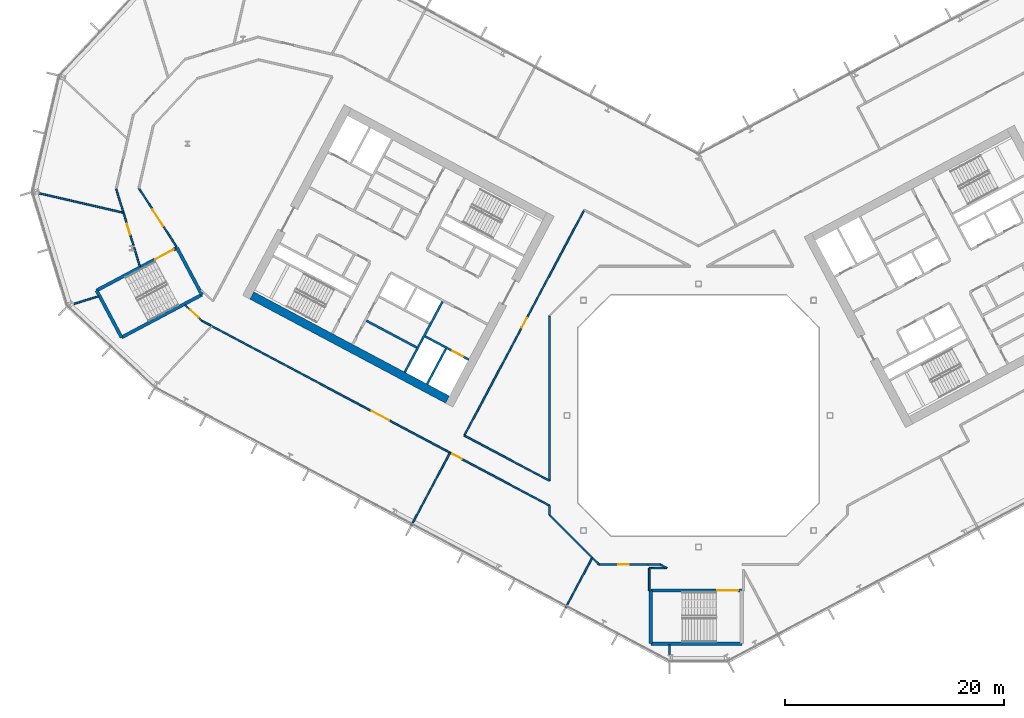
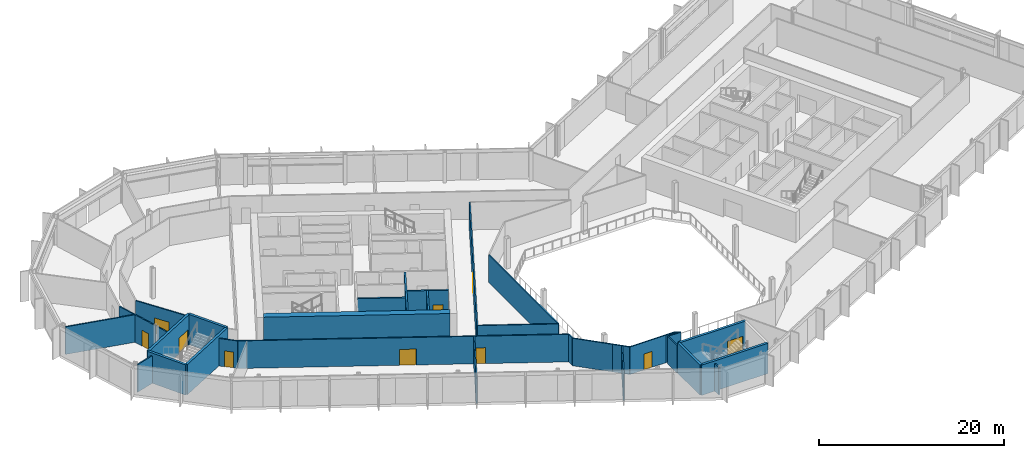
# One storey, part 13 of 28: 36 walls, 10 doors, 10 openings.
"""IFC4 building model written with IfcOpenShell, lengths in metres."""

from ifc_helpers import new_model, si_unit, direction, frame, frame_2d, origin, place, context, subcontext, project, spatial, rectangle, extrude, material, layer, layer_set, type_object, element, fill, save


model = new_model("IFC4")

# Units and contexts
model_context = context("Model", 3, precision=1e-05, world=origin(), true_north=direction((0.0, 1.0)))
body_context = subcontext(model_context, "Body", "Model", "MODEL_VIEW")
ifc_project = project(units=[si_unit("LENGTHUNIT", "METRE"), si_unit("AREAUNIT", "SQUARE_METRE"), si_unit("VOLUMEUNIT", "CUBIC_METRE"), si_unit("PLANEANGLEUNIT", "RADIAN"), si_unit("MASSUNIT", "GRAM", prefix="KILO")], contexts=[model_context])

# Site, building, storey
site_placement = place(None, origin())
site = spatial("IfcSite", under=ifc_project, at=site_placement, CompositionType="ELEMENT")
building_placement = place(site_placement, origin())
building = spatial("IfcBuilding", under=site, at=building_placement, Name="Cormorant Relay Tower", CompositionType="ELEMENT")
storey_placement = place(building_placement, frame((0.0, 0.0, 170.199951171875)))
storey = spatial("IfcBuildingStorey", under=building, at=storey_placement, Name="L36", CompositionType="ELEMENT", Elevation=170.199951171875)

# Walls
ifc_material_1 = material(Name="Concrete 40 MPa", Category="concrete")
ifc_layer_1 = layer(ifc_material_1, 0.199951171875)
ifc_layer_set_1 = layer_set([ifc_layer_1], Name="Core internal wall 200")
wall_type_1 = type_object("IfcWallType", Name="Core internal wall 200", PredefinedType="SOLIDWALL", material=ifc_layer_set_1)
wall_1_placement = place(storey_placement, frame((-25.701904296875, 6.19091796875, 0.0), z_axis=(0.0, 0.0, 1.0), x_axis=(-0.882934506056, 0.469496174655, 0.0)))
element("IfcWall", 1, at=wall_1_placement, inside=storey, type_object=wall_type_1, Name="L36 core A shaft and room wall", PredefinedType="SOLIDWALL", context=body_context, shape_type="SweptSolid", body=[
    extrude(rectangle(XDim=5.199951171875, YDim=0.199951171875, at=frame_2d((2.60009765625, 0.0))), origin(), (0.0, 0.0, 1.0), 4.0),
])
ifc_material_2 = material(Name="Concrete 50 MPa", Category="concrete")
ifc_layer_2 = layer(ifc_material_2, 0.199951171875)
ifc_layer_set_2 = layer_set([ifc_layer_2], Name="Core shaft wall 200")
wall_type_2 = type_object("IfcWallType", Name="Core shaft wall 200", PredefinedType="SHEAR", material=ifc_layer_set_2)
wall_2_placement = place(storey_placement, frame((-23.04296875, 6.07958984375, 0.0), z_axis=(0.0, 0.0, 1.0), x_axis=(-0.469494272526, -0.882935517501, 0.0)))
element("IfcWall", 2, at=wall_2_placement, inside=storey, type_object=wall_type_2, Name="L36 core A shaft wall", PredefinedType="SHEAR", context=body_context, shape_type="SweptSolid", body=[
    extrude(rectangle(XDim=3.64990234375, YDim=0.199951171875, at=frame_2d((1.824951171875, 0.0))), origin(), (0.0, 0.0, 1.0), 4.0),
])
wall_3_placement = place(storey_placement, frame((-23.360107421875, 10.38232421875, 0.0), z_axis=(0.0, 0.0, 1.0), x_axis=(-0.469480409012, -0.88294288918, 0.0)))
element("IfcWall", 3, at=wall_3_placement, inside=storey, type_object=wall_type_2, Name="L36 core A shaft wall", PredefinedType="SHEAR", context=body_context, shape_type="SweptSolid", body=[
    extrude(rectangle(XDim=7.300048828125, YDim=0.199951171875, at=frame_2d((3.64990234375, 0.0))), origin(), (0.0, 0.0, 1.0), 4.0),
])

# Wall, opening, door
wall_4_placement = place(storey_placement, frame((-20.96533203125, 5.088134765625, 0.0), z_axis=(0.0, 0.0, 1.0), x_axis=(-0.882925986334, 0.469512196493, 0.0)))
wall_4 = element("IfcWall", 4, at=wall_4_placement, inside=storey, type_object=wall_type_2, Name="L36 core A shaft wall", PredefinedType="SHEAR", context=body_context, shape_type="SweptSolid", body=[
    extrude(rectangle(XDim=4.5, YDim=0.199951171875, at=frame_2d((2.25, 0.0))), origin(), (0.0, 0.0, 1.0), 4.0),
])
opening_1_placement = place(wall_4_placement, frame((0.60009765625, 0.0, 0.0)))
opening_1 = element("IfcOpeningElement", 5, at=opening_1_placement, cuts=wall_4, Name="Opening LD1-043", PredefinedType="OPENING", context=body_context, shape_type="SweptSolid", body=[
    extrude(rectangle(XDim=1.10009765625, YDim=2.10009765625, at=frame_2d((0.550048828125, 1.050048828125))), frame((0.0, 0.10986328125, 0.0), z_axis=(0.0, -1.0, 0.0), x_axis=(1.0, 0.0, 0.0)), (0.0, 0.0, 1.0), 0.219970703125),
])
ifc_material_3 = material(Name="Stainless steel 316", Category="steel")
door_type_1 = type_object("IfcDoorType", Name="Lift landing door 1100x2100", OperationType="DOUBLE_DOOR_SLIDING", PredefinedType="DOOR", material=ifc_material_3)
door_1_placement = place(opening_1_placement, origin())
door_1 = element("IfcDoor", 6, at=door_1_placement, inside=storey, type_object=door_type_1, Name="FF1 landing door", OperationType="DOUBLE_DOOR_SLIDING", OverallHeight=2.10009765625, OverallWidth=1.10009765625, PredefinedType="DOOR", context=body_context, shape_type="SweptSolid", body=[
    extrude(rectangle(XDim=1.10009765625, YDim=2.10009765625, at=frame_2d((0.550048828125, 1.050048828125))), frame((0.0, 0.02490234375, 0.0), z_axis=(0.0, -1.0, 0.0), x_axis=(1.0, 0.0, 0.0)), (0.0, 0.0, 1.0), 0.050048828125),
])
fill(opening_1, door_1)

# Walls
ifc_material_4 = material(Name="Concrete 60 MPa", Category="concrete")
ifc_layer_3 = layer(ifc_material_4, 0.75)
ifc_layer_set_3 = layer_set([ifc_layer_3], Name="Core wall 750")
wall_type_3 = type_object("IfcWallType", Name="Core wall 750", PredefinedType="SHEAR", material=ifc_layer_set_3)
wall_5_placement = place(storey_placement, frame((-22.90185546875, 1.446044921875, 0.0), z_axis=(0.0, 0.0, 1.0), x_axis=(-0.88294509198, 0.469476266226, 0.0)))
element("IfcWall", 7, at=wall_5_placement, inside=storey, type_object=wall_type_3, Name="L36 core A wall", PredefinedType="SHEAR", context=body_context, shape_type="SweptSolid", body=[
    extrude(rectangle(XDim=20.199951171875, YDim=0.75, at=frame_2d((10.10009765625, 0.0))), origin(), (0.0, 0.0, 1.0), 4.0),
])
ifc_material_5 = material(Name="Gypsum board fire partition")
ifc_layer_4 = layer(ifc_material_5, 0.14990234375)
ifc_layer_set_4 = layer_set([ifc_layer_4], Name="Corridor partition 150 EI 60")
wall_type_4 = type_object("IfcWallType", Name="Corridor partition 150 EI 60", PredefinedType="PARTITIONING", material=ifc_layer_set_4)
wall_6_placement = place(storey_placement, frame((-53.114990234375, 20.658935546875, 0.0), z_axis=(0.0, 0.0, 1.0), x_axis=(0.292062202153, -0.956399325634, 0.0)))
element("IfcWall", 8, at=wall_6_placement, inside=storey, type_object=wall_type_4, Name="wall/L36/part/005", PredefinedType="PARTITIONING", context=body_context, shape_type="SweptSolid", body=[
    extrude(rectangle(XDim=2.221923828125, YDim=0.14990234375, at=frame_2d((1.11083984375, 0.0))), origin(), (0.0, 0.0, 1.0), 3.64013671875),
])
wall_7_placement = place(storey_placement, frame((-50.958984375, 13.60400390625, 0.0), z_axis=(0.0, 0.0, 1.0), x_axis=(-0.292326826569, 0.95631847544, 0.0)))
element("IfcWall", 9, at=wall_7_placement, inside=storey, type_object=wall_type_4, Name="wall/L36/part/006", PredefinedType="PARTITIONING", context=body_context, shape_type="SweptSolid", body=[
    extrude(rectangle(XDim=1.775634765625, YDim=0.14990234375, at=frame_2d((0.8876953125, 0.0))), origin(), (0.0, 0.0, 1.0), 3.64013671875),
])

# Wall, opening, door
wall_8_placement = place(storey_placement, frame((-51.534912109375, 15.489990234375, 0.0), z_axis=(0.0, 0.0, 1.0), x_axis=(-0.292522494411, 0.956258641929, 0.0)))
wall_8 = element("IfcWall", 10, at=wall_8_placement, inside=storey, type_object=wall_type_4, Name="wall/L36/part/007", PredefinedType="PARTITIONING", context=body_context, shape_type="SweptSolid", body=[
    extrude(rectangle(XDim=3.18310546875, YDim=0.14990234375, at=frame_2d((1.591552734375, 0.0))), origin(), (0.0, 0.0, 1.0), 3.64013671875),
])
opening_2_placement = place(wall_8_placement, frame((1.050048828125, 0.0, 0.0)))
opening_2 = element("IfcOpeningElement", 11, at=opening_2_placement, cuts=wall_8, Name="Opening DS-012", PredefinedType="OPENING", context=body_context, shape_type="SweptSolid", body=[
    extrude(rectangle(XDim=1.0, YDim=2.10009765625, at=frame_2d((0.5, 1.050048828125))), frame((0.0, 0.0849609375, 0.0), z_axis=(0.0, -1.0, 0.0), x_axis=(1.0, 0.0, 0.0)), (0.0, 0.0, 1.0), 0.169921875),
])
ifc_material_6 = material(Name="Timber door leaf", Category="wood")
door_type_2 = type_object("IfcDoorType", Name="Suite door 1000x2100", OperationType="SINGLE_SWING_LEFT", PredefinedType="DOOR", material=ifc_material_6)
door_2_placement = place(opening_2_placement, origin())
door_2 = element("IfcDoor", 12, at=door_2_placement, inside=storey, type_object=door_type_2, Name="door/L36/015", OperationType="SINGLE_SWING_LEFT", OverallHeight=2.10009765625, OverallWidth=1.0, PredefinedType="DOOR", context=body_context, shape_type="SweptSolid", body=[
    extrude(rectangle(XDim=1.0, YDim=2.10009765625, at=frame_2d((0.5, 1.050048828125))), frame((0.0, 0.02490234375, 0.0), z_axis=(0.0, -1.0, 0.0), x_axis=(1.0, 0.0, 0.0)), (0.0, 0.0, 1.0), 0.050048828125),
])
fill(opening_2, door_2)

wall_9_placement = place(storey_placement, frame((-47.617919921875, 15.3798828125, 0.0), z_axis=(0.0, 0.0, 1.0), x_axis=(-0.539421032188, 0.842036192828, 0.0)))
wall_9 = element("IfcWall", 13, at=wall_9_placement, inside=storey, type_object=wall_type_4, Name="wall/L36/part/015", PredefinedType="PARTITIONING", context=body_context, shape_type="SweptSolid", body=[
    extrude(rectangle(XDim=6.35498046875, YDim=0.14990234375, at=frame_2d((3.177490234375, 0.0))), origin(), (0.0, 0.0, 1.0), 3.64013671875),
])
opening_3_placement = place(wall_9_placement, frame((2.25, 0.0, 0.0)))
opening_3 = element("IfcOpeningElement", 14, at=opening_3_placement, cuts=wall_9, Name="Opening DD-014", PredefinedType="OPENING", context=body_context, shape_type="SweptSolid", body=[
    extrude(rectangle(XDim=1.800048828125, YDim=2.10009765625, at=frame_2d((0.89990234375, 1.050048828125))), frame((0.0, 0.0849609375, 0.0), z_axis=(0.0, -1.0, 0.0), x_axis=(1.0, 0.0, 0.0)), (0.0, 0.0, 1.0), 0.169921875),
])
ifc_material_7 = material(Name="Timber door leaf", Category="wood")
door_type_3 = type_object("IfcDoorType", Name="Suite double door 1800x2100", OperationType="DOUBLE_DOOR_SINGLE_SWING", PredefinedType="DOOR", material=ifc_material_7)
door_3_placement = place(opening_3_placement, frame((1.800048828125, 0.0, 0.0), z_axis=(0.0, 0.0, 1.0), x_axis=(-1.0, 0.0, 0.0)))
door_3 = element("IfcDoor", 15, at=door_3_placement, inside=storey, type_object=door_type_3, Name="door/L36/001", OperationType="DOUBLE_DOOR_SINGLE_SWING", OverallHeight=2.10009765625, OverallWidth=1.800048828125, PredefinedType="DOOR", context=body_context, shape_type="SweptSolid", body=[
    extrude(rectangle(XDim=1.800048828125, YDim=2.10009765625, at=frame_2d((0.89990234375, 1.050048828125))), frame((0.0, 0.02490234375, 0.0), z_axis=(0.0, -1.0, 0.0), x_axis=(1.0, 0.0, 0.0)), (0.0, 0.0, 1.0), 0.050048828125),
])
fill(opening_3, door_3)

# Wall
wall_10_placement = place(storey_placement, frame((-44.4619140625, 8.180908203125, 0.0), z_axis=(0.0, 0.0, 1.0), x_axis=(-0.882750253305, 0.469842516478, 0.0)))
element("IfcWall", 16, at=wall_10_placement, inside=storey, type_object=wall_type_4, Name="wall/L36/part/022", PredefinedType="PARTITIONING", context=body_context, shape_type="SweptSolid", body=[
    extrude(rectangle(XDim=0.934814453125, YDim=0.14990234375, at=frame_2d((0.46728515625, 0.0))), origin(), (0.0, 0.0, 1.0), 3.64013671875),
])

# Wall, opening, door
wall_11_placement = place(storey_placement, frame((-45.287109375, 8.6201171875, 0.0), z_axis=(0.0, 0.0, 1.0), x_axis=(-0.731593637228, 0.681740969846, 0.0)))
wall_11 = element("IfcWall", 17, at=wall_11_placement, inside=storey, type_object=wall_type_4, Name="wall/L36/part/023", PredefinedType="PARTITIONING", context=body_context, shape_type="SweptSolid", body=[
    extrude(rectangle(XDim=2.12548828125, YDim=0.14990234375, at=frame_2d((1.062744140625, 0.0))), origin(), (0.0, 0.0, 1.0), 3.64013671875),
])
opening_4_placement = place(wall_11_placement, frame((0.449951171875, 0.0, 0.0)))
opening_4 = element("IfcOpeningElement", 18, at=opening_4_placement, cuts=wall_11, Name="Opening DS-013", PredefinedType="OPENING", context=body_context, shape_type="SweptSolid", body=[
    extrude(rectangle(XDim=1.0, YDim=2.10009765625, at=frame_2d((0.5, 1.050048828125))), frame((0.0, 0.0849609375, 0.0), z_axis=(0.0, -1.0, 0.0), x_axis=(1.0, 0.0, 0.0)), (0.0, 0.0, 1.0), 0.169921875),
])
door_4_placement = place(opening_4_placement, origin())
door_4 = element("IfcDoor", 19, at=door_4_placement, inside=storey, type_object=door_type_2, Name="door/L36/016", OperationType="SINGLE_SWING_RIGHT", OverallHeight=2.10009765625, OverallWidth=1.0, PredefinedType="DOOR", context=body_context, shape_type="SweptSolid", body=[
    extrude(rectangle(XDim=1.0, YDim=2.10009765625, at=frame_2d((0.5, 1.050048828125))), frame((0.0, 0.02490234375, 0.0), z_axis=(0.0, -1.0, 0.0), x_axis=(1.0, 0.0, 0.0)), (0.0, 0.0, 1.0), 0.050048828125),
])
fill(opening_4, door_4)

# Wall, openings, doors
wall_12_placement = place(storey_placement, frame((-13.60009765625, -8.22802734375, 0.0), z_axis=(0.0, 0.0, 1.0), x_axis=(-0.882954510497, 0.469458552369, 0.0)))
wall_12 = element("IfcWall", 20, at=wall_12_placement, inside=storey, type_object=wall_type_4, Name="wall/L36/part/024", PredefinedType="PARTITIONING", context=body_context, shape_type="SweptSolid", body=[
    extrude(rectangle(XDim=34.952880859375, YDim=0.14990234375, at=frame_2d((17.4765625, 0.0))), origin(), (0.0, 0.0, 1.0), 3.64013671875),
])
opening_5_placement = place(wall_12_placement, frame((16.550048828125, 0.0, 0.0)))
opening_5 = element("IfcOpeningElement", 21, at=opening_5_placement, cuts=wall_12, Name="Opening DD-012", PredefinedType="OPENING", context=body_context, shape_type="SweptSolid", body=[
    extrude(rectangle(XDim=1.800048828125, YDim=2.10009765625, at=frame_2d((0.89990234375, 1.050048828125))), frame((0.0, 0.0849609375, 0.0), z_axis=(0.0, -1.0, 0.0), x_axis=(1.0, 0.0, 0.0)), (0.0, 0.0, 1.0), 0.169921875),
])
opening_6_placement = place(wall_12_placement, frame((9.050048828125, 0.0, 0.0)))
opening_6 = element("IfcOpeningElement", 22, at=opening_6_placement, cuts=wall_12, Name="Opening DS-070", PredefinedType="OPENING", context=body_context, shape_type="SweptSolid", body=[
    extrude(rectangle(XDim=1.0, YDim=2.10009765625, at=frame_2d((0.5, 1.050048828125))), frame((0.0, 0.0849609375, 0.0), z_axis=(0.0, -1.0, 0.0), x_axis=(1.0, 0.0, 0.0)), (0.0, 0.0, 1.0), 0.169921875),
])
door_5_placement = place(opening_6_placement, origin())
door_5 = element("IfcDoor", 23, at=door_5_placement, inside=storey, type_object=door_type_2, Name="door/L36/018", OperationType="SINGLE_SWING_RIGHT", OverallHeight=2.10009765625, OverallWidth=1.0, PredefinedType="DOOR", context=body_context, shape_type="SweptSolid", body=[
    extrude(rectangle(XDim=1.0, YDim=2.10009765625, at=frame_2d((0.5, 1.050048828125))), frame((0.0, 0.02490234375, 0.0), z_axis=(0.0, -1.0, 0.0), x_axis=(1.0, 0.0, 0.0)), (0.0, 0.0, 1.0), 0.050048828125),
])
fill(opening_6, door_5)
door_6_placement = place(opening_5_placement, origin())
door_6 = element("IfcDoor", 24, at=door_6_placement, inside=storey, type_object=door_type_3, Name="door/L36/017", OperationType="DOUBLE_DOOR_SINGLE_SWING", OverallHeight=2.10009765625, OverallWidth=1.800048828125, PredefinedType="DOOR", context=body_context, shape_type="SweptSolid", body=[
    extrude(rectangle(XDim=1.800048828125, YDim=2.10009765625, at=frame_2d((0.89990234375, 1.050048828125))), frame((0.0, 0.02490234375, 0.0), z_axis=(0.0, -1.0, 0.0), x_axis=(1.0, 0.0, 0.0)), (0.0, 0.0, 1.0), 0.050048828125),
])
fill(opening_5, door_6)

# Walls
wall_13_placement = place(storey_placement, frame((-10.4541015625, -12.222900390625, 0.0), z_axis=(0.0, 0.0, 1.0), x_axis=(-0.707106781187, 0.707106781187, 0.0)))
element("IfcWall", 25, at=wall_13_placement, inside=storey, type_object=wall_type_4, Name="wall/L36/part/038", PredefinedType="PARTITIONING", context=body_context, shape_type="SweptSolid", body=[
    extrude(rectangle(XDim=4.44921875, YDim=0.14990234375, at=frame_2d((2.224609375, 0.0))), origin(), (0.0, 0.0, 1.0), 3.64013671875),
])
wall_14_placement = place(storey_placement, frame((-13.60009765625, -9.076904296875, 0.0), z_axis=(0.0, 0.0, 1.0), x_axis=(0.0, 1.0, 0.0)))
element("IfcWall", 26, at=wall_14_placement, inside=storey, type_object=wall_type_4, Name="wall/L36/part/039", PredefinedType="PARTITIONING", context=body_context, shape_type="SweptSolid", body=[
    extrude(rectangle(XDim=0.843994140625, YDim=0.14990234375, at=frame_2d((0.421875, 0.0))), origin(), (0.0, 0.0, 1.0), 3.64013671875),
])
wall_15_placement = place(storey_placement, frame((-9.693115234375, -12.98388671875, 0.0), z_axis=(0.0, 0.0, 1.0), x_axis=(-0.707106781187, 0.707106781187, 0.0)))
element("IfcWall", 27, at=wall_15_placement, inside=storey, type_object=wall_type_4, Name="wall/L36/part/041", PredefinedType="PARTITIONING", context=body_context, shape_type="SweptSolid", body=[
    extrude(rectangle(XDim=1.076171875, YDim=0.14990234375, at=frame_2d((0.5380859375, 0.0))), origin(), (0.0, 0.0, 1.0), 3.64013671875),
])

# Wall, opening, door
wall_16_placement = place(storey_placement, frame((-4.595947265625, -13.60009765625, 0.0), z_axis=(0.0, 0.0, 1.0), x_axis=(-1.0, 0.0, 0.0)))
wall_16 = element("IfcWall", 28, at=wall_16_placement, inside=storey, type_object=wall_type_4, Name="wall/L36/part/042", PredefinedType="PARTITIONING", context=body_context, shape_type="SweptSolid", body=[
    extrude(rectangle(XDim=4.48095703125, YDim=0.14990234375, at=frame_2d((2.240478515625, 0.0))), origin(), (0.0, 0.0, 1.0), 3.64013671875),
])
opening_7_placement = place(wall_16_placement, frame((1.75, 0.0, 0.0)))
opening_7 = element("IfcOpeningElement", 29, at=opening_7_placement, cuts=wall_16, Name="Opening DS-071", PredefinedType="OPENING", context=body_context, shape_type="SweptSolid", body=[
    extrude(rectangle(XDim=1.0, YDim=2.10009765625, at=frame_2d((0.5, 1.050048828125))), frame((0.0, 0.0849609375, 0.0), z_axis=(0.0, -1.0, 0.0), x_axis=(1.0, 0.0, 0.0)), (0.0, 0.0, 1.0), 0.169921875),
])
door_7_placement = place(opening_7_placement, origin())
door_7 = element("IfcDoor", 30, at=door_7_placement, inside=storey, type_object=door_type_2, Name="door/L36/019", OperationType="SINGLE_SWING_LEFT", OverallHeight=2.10009765625, OverallWidth=1.0, PredefinedType="DOOR", context=body_context, shape_type="SweptSolid", body=[
    extrude(rectangle(XDim=1.0, YDim=2.10009765625, at=frame_2d((0.5, 1.050048828125))), frame((0.0, 0.02490234375, 0.0), z_axis=(0.0, -1.0, 0.0), x_axis=(1.0, 0.0, 0.0)), (0.0, 0.0, 1.0), 0.050048828125),
])
fill(opening_7, door_7)

# Walls
wall_17_placement = place(storey_placement, frame((-9.076904296875, -13.60009765625, 0.0), z_axis=(0.0, 0.0, 1.0), x_axis=(-0.707106781187, 0.707106781187, 0.0)))
element("IfcWall", 31, at=wall_17_placement, inside=storey, type_object=wall_type_4, Name="wall/L36/part/043", PredefinedType="PARTITIONING", context=body_context, shape_type="SweptSolid", body=[
    extrude(rectangle(XDim=0.871337890625, YDim=0.14990234375, at=frame_2d((0.435546875, 0.0))), origin(), (0.0, 0.0, 1.0), 3.64013671875),
])
wall_18_placement = place(storey_placement, frame((-2.885986328125, -13.925048828125, 0.0), z_axis=(0.0, 0.0, 1.0), x_axis=(-0.882928394432, 0.469507667994, 0.0)))
element("IfcWall", 32, at=wall_18_placement, inside=storey, type_object=wall_type_4, Name="wall/L36/part/044", PredefinedType="PARTITIONING", context=body_context, shape_type="SweptSolid", body=[
    extrude(rectangle(XDim=0.692138671875, YDim=0.14990234375, at=frame_2d((0.34619140625, 0.0))), origin(), (0.0, 0.0, 1.0), 3.64013671875),
])
wall_19_placement = place(storey_placement, frame((-3.4970703125, -13.60009765625, 0.0), z_axis=(0.0, 0.0, 1.0), x_axis=(-1.0, 0.0, 0.0)))
element("IfcWall", 33, at=wall_19_placement, inside=storey, type_object=wall_type_4, Name="wall/L36/part/045", PredefinedType="PARTITIONING", context=body_context, shape_type="SweptSolid", body=[
    extrude(rectangle(XDim=1.098876953125, YDim=0.14990234375, at=frame_2d((0.54931640625, 0.0))), origin(), (0.0, 0.0, 1.0), 3.64013671875),
])
wall_20_placement = place(storey_placement, frame((-4.5, -15.97509765625, 0.0), z_axis=(0.0, 0.0, 1.0), x_axis=(0.0, 1.0, 0.0)))
element("IfcWall", 34, at=wall_20_placement, inside=storey, type_object=wall_type_4, Name="wall/L36/part/046", PredefinedType="PARTITIONING", context=body_context, shape_type="SweptSolid", body=[
    extrude(rectangle(XDim=2.050048828125, YDim=0.14990234375, at=frame_2d((1.02490234375, 0.0))), origin(), (0.0, 0.0, 1.0), 3.64013671875),
])
wall_21_placement = place(storey_placement, frame((-2.908935546875, -13.925048828125, 0.0), z_axis=(0.0, 0.0, 1.0), x_axis=(-0.999999811638, -0.000613779231, 0.0)))
element("IfcWall", 35, at=wall_21_placement, inside=storey, type_object=wall_type_4, Name="wall/L36/part/047", PredefinedType="PARTITIONING", context=body_context, shape_type="SweptSolid", body=[
    extrude(rectangle(XDim=1.591064453125, YDim=0.14990234375, at=frame_2d((0.79541015625, 0.0))), origin(), (0.0, 0.0, 1.0), 3.64013671875),
])

# Wall, opening, door
wall_22_placement = place(storey_placement, frame((-21.362060546875, -1.8359375, 0.0), z_axis=(0.0, 0.0, 1.0), x_axis=(0.469442492633, 0.88296304912, 0.0)))
wall_22 = element("IfcWall", 36, at=wall_22_placement, inside=storey, type_object=wall_type_4, Name="wall/L36/part/076", PredefinedType="PARTITIONING", context=body_context, shape_type="SweptSolid", body=[
    extrude(rectangle(XDim=23.300048828125, YDim=0.14990234375, at=frame_2d((11.64990234375, 0.0))), origin(), (0.0, 0.0, 1.0), 3.64013671875),
])
opening_8_placement = place(wall_22_placement, frame((11.14990234375, 0.0, 0.0)))
opening_8 = element("IfcOpeningElement", 37, at=opening_8_placement, cuts=wall_22, Name="Opening DS-063", PredefinedType="OPENING", context=body_context, shape_type="SweptSolid", body=[
    extrude(rectangle(XDim=1.0, YDim=2.10009765625, at=frame_2d((0.5, 1.050048828125))), frame((0.0, 0.0849609375, 0.0), z_axis=(0.0, -1.0, 0.0), x_axis=(1.0, 0.0, 0.0)), (0.0, 0.0, 1.0), 0.169921875),
])
door_8_placement = place(opening_8_placement, frame((1.0, 0.0, 0.0), z_axis=(0.0, 0.0, 1.0), x_axis=(-1.0, 0.0, 0.0)))
door_8 = element("IfcDoor", 38, at=door_8_placement, inside=storey, type_object=door_type_2, Name="door/L36/002", OperationType="SINGLE_SWING_LEFT", OverallHeight=2.10009765625, OverallWidth=1.0, PredefinedType="DOOR", context=body_context, shape_type="SweptSolid", body=[
    extrude(rectangle(XDim=1.0, YDim=2.10009765625, at=frame_2d((0.5, 1.050048828125))), frame((0.0, 0.02490234375, 0.0), z_axis=(0.0, -1.0, 0.0), x_axis=(1.0, 0.0, 0.0)), (0.0, 0.0, 1.0), 0.050048828125),
])
fill(opening_8, door_8)

# Walls
wall_23_placement = place(storey_placement, frame((-13.60009765625, 9.076904296875, 0.0), z_axis=(0.0, 0.0, 1.0), x_axis=(0.0, -1.0, 0.0)))
element("IfcWall", 39, at=wall_23_placement, inside=storey, type_object=wall_type_4, Name="wall/L36/part/080", PredefinedType="PARTITIONING", context=body_context, shape_type="SweptSolid", body=[
    extrude(rectangle(XDim=15.039794921875, YDim=0.14990234375, at=frame_2d((7.52001953125, 0.0))), origin(), (0.0, 0.0, 1.0), 3.64013671875),
])
wall_24_placement = place(storey_placement, frame((-13.60009765625, -5.962890625, 0.0), z_axis=(0.0, 0.0, 1.0), x_axis=(-0.882954936964, 0.469457750273, 0.0)))
element("IfcWall", 40, at=wall_24_placement, inside=storey, type_object=wall_type_4, Name="wall/L36/part/081", PredefinedType="PARTITIONING", context=body_context, shape_type="SweptSolid", body=[
    extrude(rectangle(XDim=8.791015625, YDim=0.14990234375, at=frame_2d((4.3955078125, 0.0))), origin(), (0.0, 0.0, 1.0), 3.64013671875),
])
ifc_material_8 = material(Name="Concrete 50 MPa", Category="concrete")
ifc_layer_5 = layer(ifc_material_8, 0.300048828125)
ifc_layer_set_5 = layer_set([ifc_layer_5], Name="Remote stair wall 300")
wall_type_5 = type_object("IfcWallType", Name="Remote stair wall 300", PredefinedType="SHEAR", material=ifc_layer_set_5)
wall_25_placement = place(storey_placement, frame((3.949951171875, -20.824951171875, 0.0), z_axis=(0.0, 0.0, 1.0), x_axis=(-1.0, 0.0, 0.0)))
element("IfcWall", 41, at=wall_25_placement, inside=storey, type_object=wall_type_5, Name="L36 exit stair RK1 wall", PredefinedType="SHEAR", context=body_context, shape_type="SweptSolid", body=[
    extrude(rectangle(XDim=8.300048828125, YDim=0.300048828125, at=frame_2d((4.14990234375, 0.0))), origin(), (0.0, 0.0, 1.0), 4.0),
])
wall_26_placement = place(storey_placement, frame((-4.35009765625, -20.824951171875, 0.0), z_axis=(0.0, 0.0, 1.0), x_axis=(0.0, 1.0, 0.0)))
element("IfcWall", 42, at=wall_26_placement, inside=storey, type_object=wall_type_5, Name="L36 exit stair RK1 wall", PredefinedType="SHEAR", context=body_context, shape_type="SweptSolid", body=[
    extrude(rectangle(XDim=4.849853515625, YDim=0.300048828125, at=frame_2d((2.4248046875, 0.0))), origin(), (0.0, 0.0, 1.0), 4.0),
])

# Wall, opening, door
wall_27_placement = place(storey_placement, frame((-4.35009765625, -15.97509765625, 0.0), z_axis=(0.0, 0.0, 1.0), x_axis=(1.0, 0.0, 0.0)))
wall_27 = element("IfcWall", 43, at=wall_27_placement, inside=storey, type_object=wall_type_5, Name="L36 exit stair RK1 wall", PredefinedType="SHEAR", context=body_context, shape_type="SweptSolid", body=[
    extrude(rectangle(XDim=8.300048828125, YDim=0.300048828125, at=frame_2d((4.14990234375, 0.0))), origin(), (0.0, 0.0, 1.0), 4.0),
])
opening_9_placement = place(wall_27_placement, frame((6.050048828125, 0.0, 0.0)))
opening_9 = element("IfcOpeningElement", 44, at=opening_9_placement, cuts=wall_27, Name="Opening CDE-012", PredefinedType="OPENING", context=body_context, shape_type="SweptSolid", body=[
    extrude(rectangle(XDim=1.89990234375, YDim=2.10009765625, at=frame_2d((0.949951171875, 1.050048828125))), frame((0.0, 0.159912109375, 0.0), z_axis=(0.0, -1.0, 0.0), x_axis=(1.0, 0.0, 0.0)), (0.0, 0.0, 1.0), 0.320068359375),
])
ifc_material_9 = material(Name="Steel fire door", Category="steel")
door_type_4 = type_object("IfcDoorType", Name="Remote stair door 1900x2100", OperationType="DOUBLE_DOOR_SINGLE_SWING", PredefinedType="DOOR", material=ifc_material_9)
door_9_placement = place(opening_9_placement, frame((1.89990234375, 0.0, 0.0), z_axis=(0.0, 0.0, 1.0), x_axis=(-1.0, 0.0, 0.0)))
door_9 = element("IfcDoor", 45, at=door_9_placement, inside=storey, type_object=door_type_4, Name="Exit stair RK1 door", OperationType="DOUBLE_DOOR_SINGLE_SWING", OverallHeight=2.10009765625, OverallWidth=1.89990234375, PredefinedType="DOOR", context=body_context, shape_type="SweptSolid", body=[
    extrude(rectangle(XDim=1.89990234375, YDim=2.10009765625, at=frame_2d((0.949951171875, 1.050048828125))), frame((0.0, 0.02490234375, 0.0), z_axis=(0.0, -1.0, 0.0), x_axis=(1.0, 0.0, 0.0)), (0.0, 0.0, 1.0), 0.050048828125),
])
fill(opening_9, door_9)

# Walls
wall_28_placement = place(storey_placement, frame((-47.57421875, 15.28955078125, 0.0), z_axis=(0.0, 0.0, 1.0), x_axis=(0.469443498566, -0.882962514297, 0.0)))
element("IfcWall", 46, at=wall_28_placement, inside=storey, type_object=wall_type_5, Name="L36 exit stair RP1 wall", PredefinedType="SHEAR", context=body_context, shape_type="SweptSolid", body=[
    extrude(rectangle(XDim=4.85009765625, YDim=0.300048828125, at=frame_2d((2.425048828125, 0.0))), origin(), (0.0, 0.0, 1.0), 4.0),
])
wall_29_placement = place(storey_placement, frame((-45.29736328125, 11.007080078125, 0.0), z_axis=(0.0, 0.0, 1.0), x_axis=(-0.882951519127, -0.469464178475, 0.0)))
element("IfcWall", 47, at=wall_29_placement, inside=storey, type_object=wall_type_5, Name="L36 exit stair RP1 wall", PredefinedType="SHEAR", context=body_context, shape_type="SweptSolid", body=[
    extrude(rectangle(XDim=8.2998046875, YDim=0.300048828125, at=frame_2d((4.14990234375, 0.0))), origin(), (0.0, 0.0, 1.0), 4.0),
])
wall_30_placement = place(storey_placement, frame((-52.625732421875, 7.110595703125, 0.0), z_axis=(0.0, 0.0, 1.0), x_axis=(-0.469464364128, 0.882951420416, 0.0)))
element("IfcWall", 48, at=wall_30_placement, inside=storey, type_object=wall_type_5, Name="L36 exit stair RP1 wall", PredefinedType="SHEAR", context=body_context, shape_type="SweptSolid", body=[
    extrude(rectangle(XDim=4.849853515625, YDim=0.300048828125, at=frame_2d((2.4248046875, 0.0))), origin(), (0.0, 0.0, 1.0), 4.0),
])

# Wall, opening, door
wall_31_placement = place(storey_placement, frame((-54.902587890625, 11.392822265625, 0.0), z_axis=(0.0, 0.0, 1.0), x_axis=(0.882939326045, 0.469487110071, 0.0)))
wall_31 = element("IfcWall", 49, at=wall_31_placement, inside=storey, type_object=wall_type_5, Name="L36 exit stair RP1 wall", PredefinedType="SHEAR", context=body_context, shape_type="SweptSolid", body=[
    extrude(rectangle(XDim=8.300048828125, YDim=0.300048828125, at=frame_2d((4.14990234375, 0.0))), origin(), (0.0, 0.0, 1.0), 4.0),
])
opening_10_placement = place(wall_31_placement, frame((6.050048828125, 0.0, 0.0)))
opening_10 = element("IfcOpeningElement", 50, at=opening_10_placement, cuts=wall_31, Name="Opening CDE-013", PredefinedType="OPENING", context=body_context, shape_type="SweptSolid", body=[
    extrude(rectangle(XDim=1.89990234375, YDim=2.10009765625, at=frame_2d((0.949951171875, 1.050048828125))), frame((0.0, 0.159912109375, 0.0), z_axis=(0.0, -1.0, 0.0), x_axis=(1.0, 0.0, 0.0)), (0.0, 0.0, 1.0), 0.320068359375),
])
door_10_placement = place(opening_10_placement, frame((1.89990234375, 0.0, 0.0), z_axis=(0.0, 0.0, 1.0), x_axis=(-1.0, 0.0, 0.0)))
door_10 = element("IfcDoor", 51, at=door_10_placement, inside=storey, type_object=door_type_4, Name="Exit stair RP1 door", OperationType="DOUBLE_DOOR_SINGLE_SWING", OverallHeight=2.10009765625, OverallWidth=1.89990234375, PredefinedType="DOOR", context=body_context, shape_type="SweptSolid", body=[
    extrude(rectangle(XDim=1.89990234375, YDim=2.10009765625, at=frame_2d((0.949951171875, 1.050048828125))), frame((0.0, 0.02490234375, 0.0), z_axis=(0.0, -1.0, 0.0), x_axis=(1.0, 0.0, 0.0)), (0.0, 0.0, 1.0), 0.050048828125),
])
fill(opening_10, door_10)

# Walls
ifc_material_10 = material(Name="Gypsum board partition")
ifc_layer_6 = layer(ifc_material_10, 0.14990234375)
ifc_layer_set_6 = layer_set([ifc_layer_6], Name="Tenant partition 150")
wall_type_6 = type_object("IfcWallType", Name="Tenant partition 150", PredefinedType="PARTITIONING", material=ifc_layer_set_6)
wall_32_placement = place(storey_placement, frame((-52.449951171875, 18.48388671875, 0.0), z_axis=(0.0, 0.0, 1.0), x_axis=(-0.974348948829, 0.225042498023, 0.0)))
element("IfcWall", 52, at=wall_32_placement, inside=storey, type_object=wall_type_6, Name="wall/L36/part/001", PredefinedType="PARTITIONING", context=body_context, shape_type="SweptSolid", body=[
    extrude(rectangle(XDim=7.892333984375, YDim=0.14990234375, at=frame_2d((3.9462890625, 0.0))), origin(), (0.0, 0.0, 1.0), 3.64013671875),
])
wall_33_placement = place(storey_placement, frame((-54.73193359375, 10.85693359375, 0.0), z_axis=(0.0, 0.0, 1.0), x_axis=(-0.956196980242, -0.292723991119, 0.0)))
element("IfcWall", 53, at=wall_33_placement, inside=storey, type_object=wall_type_6, Name="wall/L36/part/003", PredefinedType="PARTITIONING", context=body_context, shape_type="SweptSolid", body=[
    extrude(rectangle(XDim=2.343505859375, YDim=0.14990234375, at=frame_2d((1.171875, 0.0))), origin(), (0.0, 0.0, 1.0), 3.64013671875),
])
wall_34_placement = place(storey_placement, frame((-22.669921875, -3.406005859375, 0.0), z_axis=(0.0, 0.0, 1.0), x_axis=(-0.469451537303, -0.882958240306, 0.0)))
element("IfcWall", 54, at=wall_34_placement, inside=storey, type_object=wall_type_6, Name="wall/L36/part/012", PredefinedType="PARTITIONING", context=body_context, shape_type="SweptSolid", body=[
    extrude(rectangle(XDim=7.549560546875, YDim=0.14990234375, at=frame_2d((3.77490234375, 0.0))), origin(), (0.0, 0.0, 1.0), 3.64013671875),
])
wall_35_placement = place(storey_placement, frame((-9.696044921875, -12.98095703125, 0.0), z_axis=(0.0, 0.0, 1.0), x_axis=(-0.469664493403, -0.882844982789, 0.0)))
element("IfcWall", 55, at=wall_35_placement, inside=storey, type_object=wall_type_6, Name="wall/L36/part/040", PredefinedType="PARTITIONING", context=body_context, shape_type="SweptSolid", body=[
    extrude(rectangle(XDim=5.186767578125, YDim=0.14990234375, at=frame_2d((2.59326171875, 0.0))), origin(), (0.0, 0.0, 1.0), 3.64013671875),
])
wall_36_placement = place(storey_placement, frame((-2.64892578125, -20.925048828125, 0.0), z_axis=(0.0, 0.0, 1.0), x_axis=(0.0, -1.0, 0.0)))
element("IfcWall", 56, at=wall_36_placement, inside=storey, type_object=wall_type_6, Name="wall/L36/part/048", PredefinedType="PARTITIONING", context=body_context, shape_type="SweptSolid", body=[
    extrude(rectangle(XDim=0.90283203125, YDim=0.14990234375, at=frame_2d((0.451416015625, 0.0))), origin(), (0.0, 0.0, 1.0), 3.64013671875),
])

save(model, "model.ifc")
